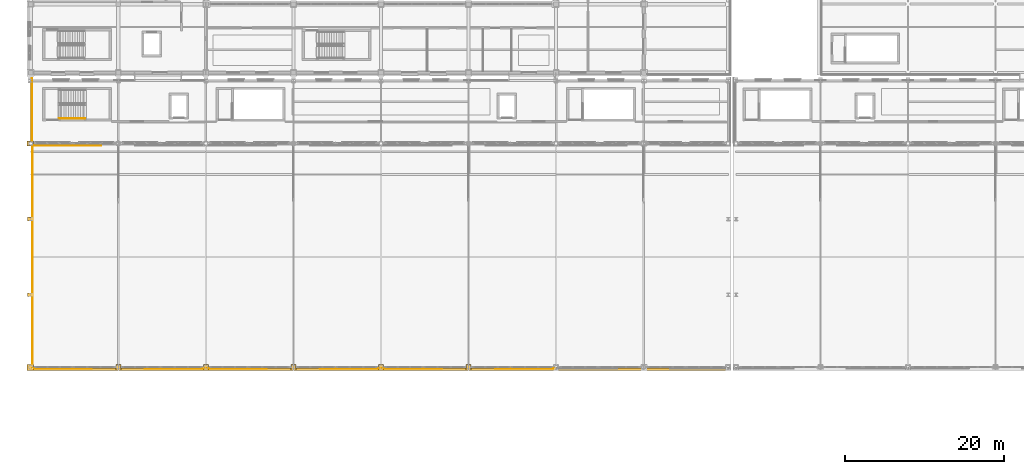
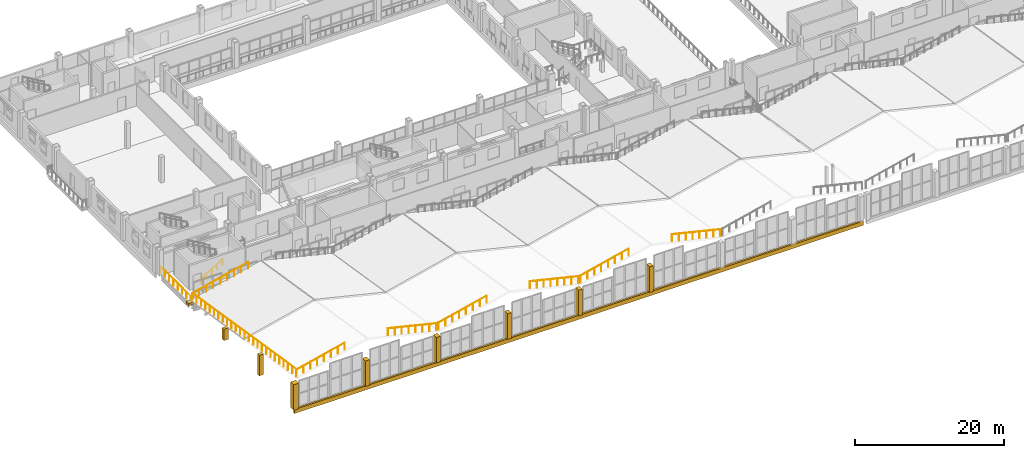
# One storey, part 104 of 120: 10 coverings, 10 railings.
"""IFC4 building model written with IfcOpenShell, lengths in metres."""

from ifc_helpers import new_model, si_unit, direction, frame, frame_2d, origin, origin_2d, place, context, subcontext, project, spatial, rectangle, circle, extrude, material, layer, layer_set, type_object, element, save


model = new_model("IFC4")

# Units and contexts
model_context = context("Model", 3, precision=1e-05, world=origin(), true_north=direction((0.0, 1.0)))
body_context = subcontext(model_context, "Body", "Model", "MODEL_VIEW")
ifc_project = project(units=[si_unit("LENGTHUNIT", "METRE"), si_unit("AREAUNIT", "SQUARE_METRE"), si_unit("VOLUMEUNIT", "CUBIC_METRE"), si_unit("PLANEANGLEUNIT", "RADIAN"), si_unit("MASSUNIT", "GRAM", prefix="KILO")], contexts=[model_context])

# Site, building, storey
site_placement = place(None, origin())
site = spatial("IfcSite", under=ifc_project, at=site_placement, CompositionType="ELEMENT")
building_placement = place(site_placement, origin())
building = spatial("IfcBuilding", under=site, at=building_placement, Name="Caurita Quay Ferry Terminal", CompositionType="ELEMENT")
storey_placement = place(building_placement, frame((0.0, 0.0, 9.89990234375)))
storey = spatial("IfcBuildingStorey", under=building, at=storey_placement, Name="L02", CompositionType="ELEMENT", Elevation=9.89990234375)

# Coverings
ifc_material_1 = material(Name="Coral stone ashlar cladding", Category="masonry")
ifc_layer_1 = layer(ifc_material_1, 0.239990234375, Name="Classical coral-stone entablature and cornice moulding 240 mm")
ifc_layer_set_1 = layer_set([ifc_layer_1], Name="Coral stone ashlar cladding")
covering_type_1 = type_object("IfcCoveringType", Name="COV-ENT-MLD", PredefinedType="MOLDING", material=ifc_layer_set_1)
covering_1_placement = place(storey_placement, frame((-0.280029296875, 34.340087890625, -0.599853515625), z_axis=(0.0, 0.0, 1.0), x_axis=(1.0, 0.0, 0.0)))
element("IfcCovering", 1, at=covering_1_placement, inside=storey, type_object=covering_type_1, Name="L02 Classical Entablature Cornice 042", PredefinedType="MOLDING", context=body_context, shape_type="SweptSolid", body=[
    extrude(rectangle(XDim=88.130126953125, YDim=0.280029296875, at=frame_2d((44.06494140625, 0.0))), origin(), (0.0, 0.0, 1.0), 0.659912109375),
])
ifc_material_2 = material(Name="Warm-white lime stucco masonry", Category="masonry")
ifc_layer_2 = layer(ifc_material_2, 0.179931640625, Name="Classical engaged lime-stucco facade pilaster cladding 180 mm")
ifc_layer_set_2 = layer_set([ifc_layer_2], Name="Warm-white lime stucco masonry")
covering_type_2 = type_object("IfcCoveringType", Name="COV-PIL-CLD", PredefinedType="CLADDING", material=ifc_layer_set_2)
covering_2_placement = place(storey_placement, frame((-0.050048828125, 34.550048828125, 0.0), z_axis=(0.0, 0.0, 1.0), x_axis=(1.0, 0.0, 0.0)))
element("IfcCovering", 2, at=covering_2_placement, inside=storey, type_object=covering_type_2, Name="L02 Classical Engaged Pilaster 0003", PredefinedType="CLADDING", context=body_context, shape_type="SweptSolid", body=[
    extrude(rectangle(XDim=0.7880859375, YDim=0.7880859375, at=origin_2d()), origin(), (0.0, 0.0, 1.0), 4.199951171875),
])
covering_3_placement = place(storey_placement, frame((-0.050048828125, 62.699951171875, 0.000244140625), z_axis=(0.0, 0.0, 1.0), x_axis=(1.0, 0.0, 0.0)))
element("IfcCovering", 3, at=covering_3_placement, inside=storey, type_object=covering_type_2, Name="L02 Classical Engaged Pilaster 0007", PredefinedType="CLADDING", context=body_context, shape_type="SweptSolid", body=[
    extrude(rectangle(XDim=0.7880859375, YDim=0.6279296875, at=origin_2d()), origin(), (0.0, 0.0, 1.0), 0.3798828125),
])
covering_4_placement = place(storey_placement, frame((-0.050048828125, 43.699951171875, 0.0), z_axis=(0.0, 0.0, 1.0), x_axis=(1.0, 0.0, 0.0)))
element("IfcCovering", 4, at=covering_4_placement, inside=storey, type_object=covering_type_2, Name="L02 Classical Engaged Pilaster 0010", PredefinedType="CLADDING", context=body_context, shape_type="SweptSolid", body=[
    extrude(rectangle(XDim=0.673583984375, YDim=0.495849609375, at=origin_2d()), origin(), (0.0, 0.0, 1.0), 3.360107421875),
])
covering_5_placement = place(storey_placement, frame((-0.050048828125, 53.199951171875, 0.0), z_axis=(0.0, 0.0, 1.0), x_axis=(1.0, 0.0, 0.0)))
element("IfcCovering", 5, at=covering_5_placement, inside=storey, type_object=covering_type_2, Name="L02 Classical Engaged Pilaster 0013", PredefinedType="CLADDING", context=body_context, shape_type="SweptSolid", body=[
    extrude(rectangle(XDim=0.673583984375, YDim=0.495849609375, at=origin_2d()), origin(), (0.0, 0.0, 1.0), 1.840087890625),
])
for number, where, z_axis, x_axis, name in (
    (6, (11.0, 34.550048828125, 0.0), (0.0, 0.0, 1.0), (1.0, 0.0, 0.0), "L02 Classical Engaged Pilaster 0020"),
    (7, (22.0, 34.550048828125, 0.0), (0.0, 0.0, 1.0), (1.0, 0.0, 0.0), "L02 Classical Engaged Pilaster 0028"),
    (8, (33.0, 34.550048828125, 0.0), (0.0, 0.0, 1.0), (1.0, 0.0, 0.0), "L02 Classical Engaged Pilaster 0035"),
    (9, (44.0, 34.550048828125, 0.0), (0.0, 0.0, 1.0), (1.0, 0.0, 0.0), "L02 Classical Engaged Pilaster 0042"),
    (10, (55.0, 34.550048828125, 0.0), (0.0, 0.0, 1.0), (1.0, 0.0, 0.0), "L02 Classical Engaged Pilaster 0049"),
):
    element("IfcCovering", number, at=place(storey_placement, frame(where, z_axis=z_axis, x_axis=x_axis)), inside=storey, type_object=covering_type_2, Name=name, PredefinedType="CLADDING", context=body_context, shape_type="SweptSolid", body=[
        extrude(rectangle(XDim=0.6279296875, YDim=0.7880859375, at=origin_2d()), origin(), (0.0, 0.0, 1.0), 4.199951171875),
    ])

# Railings
ifc_material_3 = material(Name="Bronze architectural metalwork", Category="metal")
railing_type_1 = type_object("IfcRailingType", Name="RL-HND-090", PredefinedType="HANDRAIL", material=ifc_material_3)
railing_1_placement = place(storey_placement, frame((3.550048828125, 65.85009765625, 0.175048828125)))
element("IfcRailing", 11, at=railing_1_placement, inside=storey, type_object=railing_type_1, Name="L02 ST-05 stair handrail 1", PredefinedType="HANDRAIL", context=body_context, shape_type="SweptSolid", body=[
    extrude(circle(Radius=0.02392578125, at=origin_2d()), frame((0.0, 0.0, 0.8759765625), z_axis=(0.863776583165, 0.0, 0.503874998761), x_axis=(0.0, 1.0, 0.0)), (0.0, 0.0, 1.0), 3.820556640625),
    extrude(circle(Radius=0.02099609375, at=origin_2d()), origin(), (0.0, 0.0, 1.0), 0.851806640625),
    extrude(circle(Radius=0.02099609375, at=origin_2d()), frame((0.824951171875, 0.0, 0.481201171875)), (0.0, 0.0, 1.0), 0.851806640625),
    extrude(circle(Radius=0.02099609375, at=origin_2d()), frame((1.64990234375, 0.0, 0.96240234375)), (0.0, 0.0, 1.0), 0.851806640625),
    extrude(circle(Radius=0.02099609375, at=origin_2d()), frame((2.47509765625, 0.0, 1.44384765625)), (0.0, 0.0, 1.0), 0.851806640625),
    extrude(circle(Radius=0.02099609375, at=origin_2d()), frame((3.300048828125, 0.0, 1.925048828125)), (0.0, 0.0, 1.0), 0.851806640625),
])
railing_type_2 = type_object("IfcRailingType", Name="RL-REJA-115", PredefinedType="BALUSTRADE", material=ifc_material_3)
railing_2_placement = place(storey_placement, frame((0.14990234375, 62.800048828125, 0.0)))
element("IfcRailing", 12, at=railing_2_placement, inside=storey, type_object=railing_type_2, Name="L02 Mezzanine End Guard (078)", PredefinedType="BALUSTRADE", context=body_context, shape_type="SweptSolid", body=[
    extrude(circle(Radius=0.02392578125, at=origin_2d()), frame((0.0, 0.0, 1.1259765625), z_axis=(0.0, 1.0, 0.0), x_axis=(-1.0, 0.0, 0.0)), (0.0, 0.0, 1.0), 8.050048828125),
    extrude(circle(Radius=0.02099609375, at=origin_2d()), origin(), (0.0, 0.0, 1.0), 1.101806640625),
    extrude(circle(Radius=0.02099609375, at=origin_2d()), frame((0.0, 1.14990234375, 0.0)), (0.0, 0.0, 1.0), 1.101806640625),
    extrude(circle(Radius=0.02099609375, at=origin_2d()), frame((0.0, 2.300048828125, 0.0)), (0.0, 0.0, 1.0), 1.101806640625),
    extrude(circle(Radius=0.02099609375, at=origin_2d()), frame((0.0, 3.449951171875, 0.0)), (0.0, 0.0, 1.0), 1.101806640625),
    extrude(circle(Radius=0.02099609375, at=origin_2d()), frame((0.0, 4.60009765625, 0.0)), (0.0, 0.0, 1.0), 1.101806640625),
    extrude(circle(Radius=0.02099609375, at=origin_2d()), frame((0.0, 5.75, 0.0)), (0.0, 0.0, 1.0), 1.101806640625),
    extrude(circle(Radius=0.02099609375, at=origin_2d()), frame((0.0, 6.900146484375, 0.0)), (0.0, 0.0, 1.0), 1.101806640625),
    extrude(circle(Radius=0.02099609375, at=origin_2d()), frame((0.0, 8.050048828125, 0.0)), (0.0, 0.0, 1.0), 1.101806640625),
])
railing_3_placement = place(storey_placement, frame((0.179931640625, 34.449951171875, 5.1630859375)))
element("IfcRailing", 13, at=railing_3_placement, inside=storey, type_object=railing_type_2, Name="Folded Roof Bay 1 Waterside Eave Guard W", PredefinedType="BALUSTRADE", context=body_context, shape_type="SweptSolid", body=[
    extrude(circle(Radius=0.02392578125, at=origin_2d()), frame((0.0, 0.0, 1.1259765625), z_axis=(0.972382109193, 0.0, 0.233394588029), x_axis=(0.0, 1.0, 0.0)), (0.0, 0.0, 1.0), 7.68212890625),
    extrude(circle(Radius=0.02099609375, at=origin_2d()), origin(), (0.0, 0.0, 1.0), 1.101806640625),
    extrude(circle(Radius=0.02099609375, at=origin_2d()), frame((1.067138671875, 0.0, 0.256103515625)), (0.0, 0.0, 1.0), 1.101806640625),
    extrude(circle(Radius=0.02099609375, at=origin_2d()), frame((2.13427734375, 0.0, 0.51220703125)), (0.0, 0.0, 1.0), 1.101806640625),
    extrude(circle(Radius=0.02099609375, at=origin_2d()), frame((3.201416015625, 0.0, 0.768310546875)), (0.0, 0.0, 1.0), 1.101806640625),
    extrude(circle(Radius=0.02099609375, at=origin_2d()), frame((4.2685546875, 0.0, 1.024658203125)), (0.0, 0.0, 1.0), 1.101806640625),
    extrude(circle(Radius=0.02099609375, at=origin_2d()), frame((5.335693359375, 0.0, 1.28076171875)), (0.0, 0.0, 1.0), 1.101806640625),
    extrude(circle(Radius=0.02099609375, at=origin_2d()), frame((6.40283203125, 0.0, 1.536865234375)), (0.0, 0.0, 1.0), 1.101806640625),
    extrude(circle(Radius=0.02099609375, at=origin_2d()), frame((7.469970703125, 0.0, 1.79296875)), (0.0, 0.0, 1.0), 1.101806640625),
])
railing_4_placement = place(storey_placement, frame((14.35009765625, 34.449951171875, 6.9560546875)))
element("IfcRailing", 14, at=railing_4_placement, inside=storey, type_object=railing_type_2, Name="Folded Roof Bay 1 Waterside Eave Guard E", PredefinedType="BALUSTRADE", context=body_context, shape_type="SweptSolid", body=[
    extrude(circle(Radius=0.02392578125, at=origin_2d()), frame((0.0, 0.0, 1.1259765625), z_axis=(0.972382109193, 0.0, -0.233394588029), x_axis=(0.0, 1.0, 0.0)), (0.0, 0.0, 1.0), 7.68212890625),
    extrude(circle(Radius=0.02099609375, at=origin_2d()), origin(), (0.0, 0.0, 1.0), 1.101806640625),
    extrude(circle(Radius=0.02099609375, at=origin_2d()), frame((1.067138671875, 0.0, -0.256103515625)), (0.0, 0.0, 1.0), 1.101806640625),
    extrude(circle(Radius=0.02099609375, at=origin_2d()), frame((2.13427734375, 0.0, -0.51220703125)), (0.0, 0.0, 1.0), 1.101806640625),
    extrude(circle(Radius=0.02099609375, at=origin_2d()), frame((3.201416015625, 0.0, -0.768310546875)), (0.0, 0.0, 1.0), 1.101806640625),
    extrude(circle(Radius=0.02099609375, at=origin_2d()), frame((4.2685546875, 0.0, -1.024658203125)), (0.0, 0.0, 1.0), 1.101806640625),
    extrude(circle(Radius=0.02099609375, at=origin_2d()), frame((5.335693359375, 0.0, -1.28076171875)), (0.0, 0.0, 1.0), 1.101806640625),
    extrude(circle(Radius=0.02099609375, at=origin_2d()), frame((6.40283203125, 0.0, -1.536865234375)), (0.0, 0.0, 1.0), 1.101806640625),
    extrude(circle(Radius=0.02099609375, at=origin_2d()), frame((7.469970703125, 0.0, -1.79296875)), (0.0, 0.0, 1.0), 1.101806640625),
])
railing_5_placement = place(storey_placement, frame((0.179931640625, 62.449951171875, 0.68310546875)))
element("IfcRailing", 15, at=railing_5_placement, inside=storey, type_object=railing_type_2, Name="Folded Roof Bay 1 Landside Promenade Guard LW", PredefinedType="BALUSTRADE", context=body_context, shape_type="SweptSolid", body=[
    extrude(circle(Radius=0.02392578125, at=origin_2d()), frame((0.0, 0.0, 1.1259765625), z_axis=(0.972381833796, 0.0, 0.233395735401), x_axis=(0.0, 1.0, 0.0)), (0.0, 0.0, 1.0), 8.91650390625),
    extrude(circle(Radius=0.02099609375, at=origin_2d()), origin(), (0.0, 0.0, 1.0), 1.101806640625),
    extrude(circle(Radius=0.02099609375, at=origin_2d()), frame((1.083740234375, 0.0, 0.26025390625)), (0.0, 0.0, 1.0), 1.101806640625),
    extrude(circle(Radius=0.02099609375, at=origin_2d()), frame((2.16748046875, 0.0, 0.520263671875)), (0.0, 0.0, 1.0), 1.101806640625),
    extrude(circle(Radius=0.02099609375, at=origin_2d()), frame((3.251220703125, 0.0, 0.7802734375)), (0.0, 0.0, 1.0), 1.101806640625),
    extrude(circle(Radius=0.02099609375, at=origin_2d()), frame((4.3349609375, 0.0, 1.04052734375)), (0.0, 0.0, 1.0), 1.101806640625),
    extrude(circle(Radius=0.02099609375, at=origin_2d()), frame((5.4189453125, 0.0, 1.30078125)), (0.0, 0.0, 1.0), 1.101806640625),
    extrude(circle(Radius=0.02099609375, at=origin_2d()), frame((6.502685546875, 0.0, 1.560791015625)), (0.0, 0.0, 1.0), 1.101806640625),
    extrude(circle(Radius=0.02099609375, at=origin_2d()), frame((7.58642578125, 0.0, 1.82080078125)), (0.0, 0.0, 1.0), 1.101806640625),
    extrude(circle(Radius=0.02099609375, at=origin_2d()), frame((8.670166015625, 0.0, 2.0810546875)), (0.0, 0.0, 1.0), 1.101806640625),
])
railing_6_placement = place(storey_placement, frame((22.179931640625, 34.449951171875, 5.1630859375)))
element("IfcRailing", 16, at=railing_6_placement, inside=storey, type_object=railing_type_2, Name="Folded Roof Bay 2 Waterside Eave Guard W", PredefinedType="BALUSTRADE", context=body_context, shape_type="SweptSolid", body=[
    extrude(circle(Radius=0.02392578125, at=origin_2d()), frame((0.0, 0.0, 1.1259765625), z_axis=(0.972382109193, 0.0, 0.233394588029), x_axis=(0.0, 1.0, 0.0)), (0.0, 0.0, 1.0), 7.68212890625),
    extrude(circle(Radius=0.02099609375, at=origin_2d()), origin(), (0.0, 0.0, 1.0), 1.101806640625),
    extrude(circle(Radius=0.02099609375, at=origin_2d()), frame((1.067138671875, 0.0, 0.256103515625)), (0.0, 0.0, 1.0), 1.101806640625),
    extrude(circle(Radius=0.02099609375, at=origin_2d()), frame((2.13427734375, 0.0, 0.51220703125)), (0.0, 0.0, 1.0), 1.101806640625),
    extrude(circle(Radius=0.02099609375, at=origin_2d()), frame((3.201416015625, 0.0, 0.768310546875)), (0.0, 0.0, 1.0), 1.101806640625),
    extrude(circle(Radius=0.02099609375, at=origin_2d()), frame((4.2685546875, 0.0, 1.024658203125)), (0.0, 0.0, 1.0), 1.101806640625),
    extrude(circle(Radius=0.02099609375, at=origin_2d()), frame((5.335693359375, 0.0, 1.28076171875)), (0.0, 0.0, 1.0), 1.101806640625),
    extrude(circle(Radius=0.02099609375, at=origin_2d()), frame((6.40283203125, 0.0, 1.536865234375)), (0.0, 0.0, 1.0), 1.101806640625),
    extrude(circle(Radius=0.02099609375, at=origin_2d()), frame((7.469970703125, 0.0, 1.79296875)), (0.0, 0.0, 1.0), 1.101806640625),
])
railing_7_placement = place(storey_placement, frame((36.35009765625, 34.449951171875, 6.9560546875)))
element("IfcRailing", 17, at=railing_7_placement, inside=storey, type_object=railing_type_2, Name="Folded Roof Bay 2 Waterside Eave Guard E", PredefinedType="BALUSTRADE", context=body_context, shape_type="SweptSolid", body=[
    extrude(circle(Radius=0.02392578125, at=origin_2d()), frame((0.0, 0.0, 1.1259765625), z_axis=(0.972382109193, 0.0, -0.233394588029), x_axis=(0.0, 1.0, 0.0)), (0.0, 0.0, 1.0), 7.68212890625),
    extrude(circle(Radius=0.02099609375, at=origin_2d()), origin(), (0.0, 0.0, 1.0), 1.101806640625),
    extrude(circle(Radius=0.02099609375, at=origin_2d()), frame((1.067138671875, 0.0, -0.256103515625)), (0.0, 0.0, 1.0), 1.101806640625),
    extrude(circle(Radius=0.02099609375, at=origin_2d()), frame((2.13427734375, 0.0, -0.51220703125)), (0.0, 0.0, 1.0), 1.101806640625),
    extrude(circle(Radius=0.02099609375, at=origin_2d()), frame((3.201416015625, 0.0, -0.768310546875)), (0.0, 0.0, 1.0), 1.101806640625),
    extrude(circle(Radius=0.02099609375, at=origin_2d()), frame((4.2685546875, 0.0, -1.024658203125)), (0.0, 0.0, 1.0), 1.101806640625),
    extrude(circle(Radius=0.02099609375, at=origin_2d()), frame((5.335693359375, 0.0, -1.28076171875)), (0.0, 0.0, 1.0), 1.101806640625),
    extrude(circle(Radius=0.02099609375, at=origin_2d()), frame((6.40283203125, 0.0, -1.536865234375)), (0.0, 0.0, 1.0), 1.101806640625),
    extrude(circle(Radius=0.02099609375, at=origin_2d()), frame((7.469970703125, 0.0, -1.79296875)), (0.0, 0.0, 1.0), 1.101806640625),
])
railing_8_placement = place(storey_placement, frame((44.179931640625, 34.449951171875, 5.1630859375)))
element("IfcRailing", 18, at=railing_8_placement, inside=storey, type_object=railing_type_2, Name="Folded Roof Bay 3 Waterside Eave Guard W", PredefinedType="BALUSTRADE", context=body_context, shape_type="SweptSolid", body=[
    extrude(circle(Radius=0.02392578125, at=origin_2d()), frame((0.0, 0.0, 1.1259765625), z_axis=(0.972382109193, 0.0, 0.233394588029), x_axis=(0.0, 1.0, 0.0)), (0.0, 0.0, 1.0), 7.68212890625),
    extrude(circle(Radius=0.02099609375, at=origin_2d()), origin(), (0.0, 0.0, 1.0), 1.101806640625),
    extrude(circle(Radius=0.02099609375, at=origin_2d()), frame((1.067138671875, 0.0, 0.256103515625)), (0.0, 0.0, 1.0), 1.101806640625),
    extrude(circle(Radius=0.02099609375, at=origin_2d()), frame((2.13427734375, 0.0, 0.51220703125)), (0.0, 0.0, 1.0), 1.101806640625),
    extrude(circle(Radius=0.02099609375, at=origin_2d()), frame((3.201416015625, 0.0, 0.768310546875)), (0.0, 0.0, 1.0), 1.101806640625),
    extrude(circle(Radius=0.02099609375, at=origin_2d()), frame((4.2685546875, 0.0, 1.024658203125)), (0.0, 0.0, 1.0), 1.101806640625),
    extrude(circle(Radius=0.02099609375, at=origin_2d()), frame((5.335693359375, 0.0, 1.28076171875)), (0.0, 0.0, 1.0), 1.101806640625),
    extrude(circle(Radius=0.02099609375, at=origin_2d()), frame((6.40283203125, 0.0, 1.536865234375)), (0.0, 0.0, 1.0), 1.101806640625),
    extrude(circle(Radius=0.02099609375, at=origin_2d()), frame((7.469970703125, 0.0, 1.79296875)), (0.0, 0.0, 1.0), 1.101806640625),
])
railing_9_placement = place(storey_placement, frame((58.35009765625, 34.449951171875, 6.9560546875)))
element("IfcRailing", 19, at=railing_9_placement, inside=storey, type_object=railing_type_2, Name="Folded Roof Bay 3 Waterside Eave Guard E", PredefinedType="BALUSTRADE", context=body_context, shape_type="SweptSolid", body=[
    extrude(circle(Radius=0.02392578125, at=origin_2d()), frame((0.0, 0.0, 1.1259765625), z_axis=(0.972382109193, 0.0, -0.233394588029), x_axis=(0.0, 1.0, 0.0)), (0.0, 0.0, 1.0), 7.68212890625),
    extrude(circle(Radius=0.02099609375, at=origin_2d()), origin(), (0.0, 0.0, 1.0), 1.101806640625),
    extrude(circle(Radius=0.02099609375, at=origin_2d()), frame((1.067138671875, 0.0, -0.256103515625)), (0.0, 0.0, 1.0), 1.101806640625),
    extrude(circle(Radius=0.02099609375, at=origin_2d()), frame((2.13427734375, 0.0, -0.51220703125)), (0.0, 0.0, 1.0), 1.101806640625),
    extrude(circle(Radius=0.02099609375, at=origin_2d()), frame((3.201416015625, 0.0, -0.768310546875)), (0.0, 0.0, 1.0), 1.101806640625),
    extrude(circle(Radius=0.02099609375, at=origin_2d()), frame((4.2685546875, 0.0, -1.024658203125)), (0.0, 0.0, 1.0), 1.101806640625),
    extrude(circle(Radius=0.02099609375, at=origin_2d()), frame((5.335693359375, 0.0, -1.28076171875)), (0.0, 0.0, 1.0), 1.101806640625),
    extrude(circle(Radius=0.02099609375, at=origin_2d()), frame((6.40283203125, 0.0, -1.536865234375)), (0.0, 0.0, 1.0), 1.101806640625),
    extrude(circle(Radius=0.02099609375, at=origin_2d()), frame((7.469970703125, 0.0, -1.79296875)), (0.0, 0.0, 1.0), 1.101806640625),
])
railing_10_placement = place(storey_placement, frame((0.219970703125, 34.449951171875, 5.173095703125)))
element("IfcRailing", 20, at=railing_10_placement, inside=storey, type_object=railing_type_2, Name="Folded Roof West Gable Rake Guardrail", PredefinedType="BALUSTRADE", context=body_context, shape_type="SweptSolid", body=[
    extrude(circle(Radius=0.02392578125, at=origin_2d()), frame((0.0, 0.0, 1.1259765625), z_axis=(0.0, 0.987440739371, -0.157989829515), x_axis=(-1.0, 0.0, 0.0)), (0.0, 0.0, 1.0), 28.356201171875),
    extrude(circle(Radius=0.02099609375, at=origin_2d()), origin(), (0.0, 0.0, 1.0), 1.101806640625),
    extrude(circle(Radius=0.02099609375, at=origin_2d()), frame((0.0, 1.166748046875, -0.186767578125)), (0.0, 0.0, 1.0), 1.101806640625),
    extrude(circle(Radius=0.02099609375, at=origin_2d()), frame((0.0, 2.333251953125, -0.373291015625)), (0.0, 0.0, 1.0), 1.101806640625),
    extrude(circle(Radius=0.02099609375, at=origin_2d()), frame((0.0, 3.5, -0.56005859375)), (0.0, 0.0, 1.0), 1.101806640625),
    extrude(circle(Radius=0.02099609375, at=origin_2d()), frame((0.0, 4.666748046875, -0.74658203125)), (0.0, 0.0, 1.0), 1.101806640625),
    extrude(circle(Radius=0.02099609375, at=origin_2d()), frame((0.0, 5.833251953125, -0.933349609375)), (0.0, 0.0, 1.0), 1.101806640625),
    extrude(circle(Radius=0.02099609375, at=origin_2d()), frame((0.0, 7.0, -1.1201171875)), (0.0, 0.0, 1.0), 1.101806640625),
    extrude(circle(Radius=0.02099609375, at=origin_2d()), frame((0.0, 8.166748046875, -1.306640625)), (0.0, 0.0, 1.0), 1.101806640625),
    extrude(circle(Radius=0.02099609375, at=origin_2d()), frame((0.0, 9.333251953125, -1.493408203125)), (0.0, 0.0, 1.0), 1.101806640625),
    extrude(circle(Radius=0.02099609375, at=origin_2d()), frame((0.0, 10.5, -1.679931640625)), (0.0, 0.0, 1.0), 1.101806640625),
    extrude(circle(Radius=0.02099609375, at=origin_2d()), frame((0.0, 11.666748046875, -1.86669921875)), (0.0, 0.0, 1.0), 1.101806640625),
    extrude(circle(Radius=0.02099609375, at=origin_2d()), frame((0.0, 12.833251953125, -2.05322265625)), (0.0, 0.0, 1.0), 1.101806640625),
    extrude(circle(Radius=0.02099609375, at=origin_2d()), frame((0.0, 14.0, -2.239990234375)), (0.0, 0.0, 1.0), 1.101806640625),
    extrude(circle(Radius=0.02099609375, at=origin_2d()), frame((0.0, 15.166748046875, -2.4267578125)), (0.0, 0.0, 1.0), 1.101806640625),
    extrude(circle(Radius=0.02099609375, at=origin_2d()), frame((0.0, 16.333251953125, -2.61328125)), (0.0, 0.0, 1.0), 1.101806640625),
    extrude(circle(Radius=0.02099609375, at=origin_2d()), frame((0.0, 17.5, -2.800048828125)), (0.0, 0.0, 1.0), 1.101806640625),
    extrude(circle(Radius=0.02099609375, at=origin_2d()), frame((0.0, 18.666748046875, -2.986572265625)), (0.0, 0.0, 1.0), 1.101806640625),
    extrude(circle(Radius=0.02099609375, at=origin_2d()), frame((0.0, 19.833251953125, -3.17333984375)), (0.0, 0.0, 1.0), 1.101806640625),
    extrude(circle(Radius=0.02099609375, at=origin_2d()), frame((0.0, 21.0, -3.35986328125)), (0.0, 0.0, 1.0), 1.101806640625),
    extrude(circle(Radius=0.02099609375, at=origin_2d()), frame((0.0, 22.166748046875, -3.546630859375)), (0.0, 0.0, 1.0), 1.101806640625),
    extrude(circle(Radius=0.02099609375, at=origin_2d()), frame((0.0, 23.333251953125, -3.7333984375)), (0.0, 0.0, 1.0), 1.101806640625),
    extrude(circle(Radius=0.02099609375, at=origin_2d()), frame((0.0, 24.5, -3.919921875)), (0.0, 0.0, 1.0), 1.101806640625),
    extrude(circle(Radius=0.02099609375, at=origin_2d()), frame((0.0, 25.666748046875, -4.106689453125)), (0.0, 0.0, 1.0), 1.101806640625),
    extrude(circle(Radius=0.02099609375, at=origin_2d()), frame((0.0, 26.833251953125, -4.293212890625)), (0.0, 0.0, 1.0), 1.101806640625),
    extrude(circle(Radius=0.02099609375, at=origin_2d()), frame((0.0, 28.0, -4.47998046875)), (0.0, 0.0, 1.0), 1.101806640625),
])

save(model, "model.ifc")
